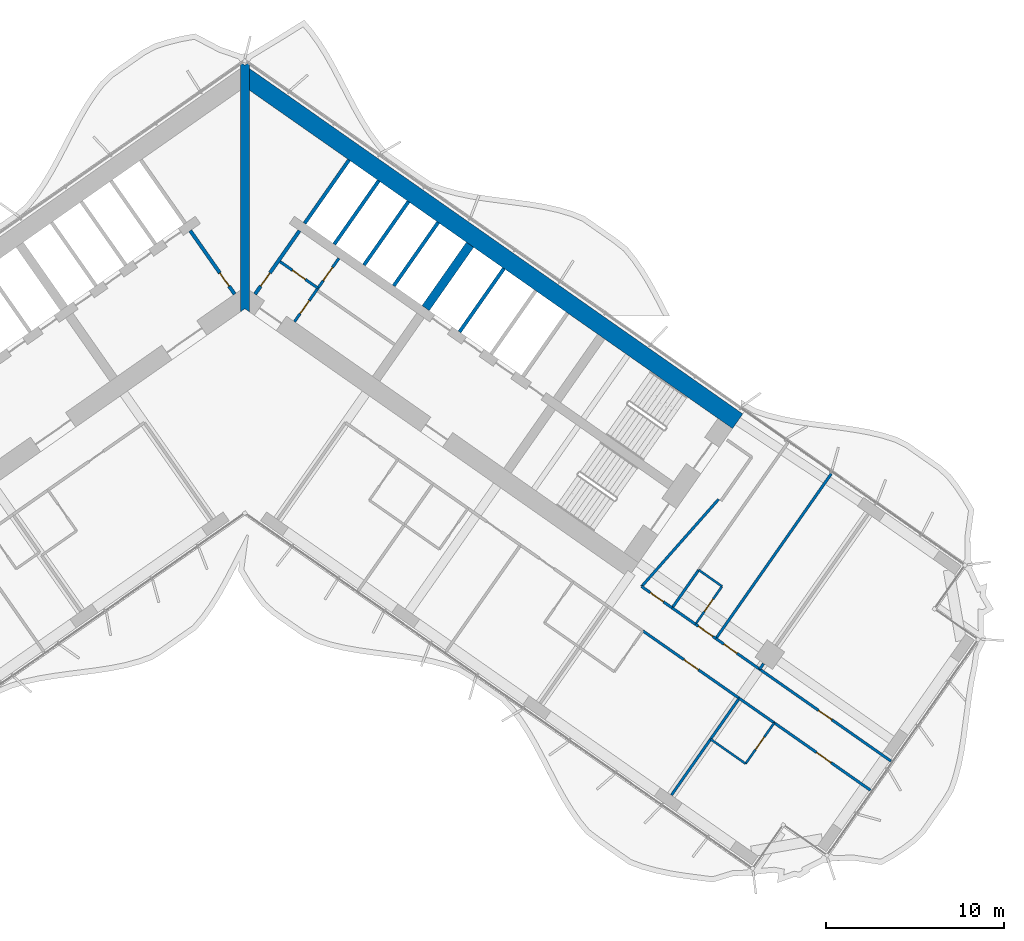
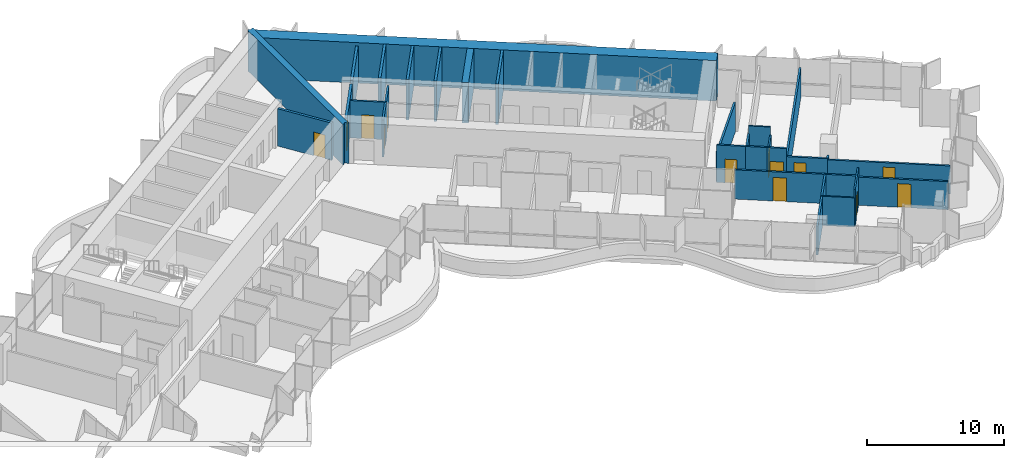
# One storey, part 15 of 23: 30 walls, 13 doors, 13 openings.
"""IFC4 building model written with IfcOpenShell, lengths in metres."""

from ifc_helpers import new_model, si_unit, direction, frame, frame_2d, origin, place, context, subcontext, project, spatial, polyline, rectangle, outline, extrude, material, layer, layer_set, type_object, element, fill, save


model = new_model("IFC4")

# Units and contexts
model_context = context("Model", 3, precision=1e-05, world=origin(), true_north=direction((0.0, 1.0)))
body_context = subcontext(model_context, "Body", "Model", "MODEL_VIEW")
ifc_project = project(units=[si_unit("LENGTHUNIT", "METRE"), si_unit("AREAUNIT", "SQUARE_METRE"), si_unit("VOLUMEUNIT", "CUBIC_METRE"), si_unit("PLANEANGLEUNIT", "RADIAN"), si_unit("MASSUNIT", "GRAM", prefix="KILO")], contexts=[model_context])

# Site, building, storey
site_placement = place(None, origin())
site = spatial("IfcSite", under=ifc_project, at=site_placement, CompositionType="ELEMENT")
building_placement = place(site_placement, origin())
building = spatial("IfcBuilding", under=site, at=building_placement, Name="Tel Ilan Convention Tower", CompositionType="ELEMENT")
storey_placement = place(building_placement, frame((0.0, 0.0, 101.300048828125)))
storey = spatial("IfcBuildingStorey", under=building, at=storey_placement, Name="L21", CompositionType="ELEMENT", Elevation=101.300048828125)

# Wall, openings, doors
ifc_material_1 = material(Name="Gypsum Plasterboard on Steel Stud", Category="steel")
ifc_layer_1 = layer(ifc_material_1, 0.14990234375)
ifc_layer_set_1 = layer_set([ifc_layer_1], Name="Core Room Partition Wall 150 mm EI 60")
wall_type_1 = type_object("IfcWallType", Name="Core Room Partition Wall 150 mm EI 60", PredefinedType="PARTITIONING", material=ifc_layer_set_1)
wall_1_placement = place(storey_placement, frame((2.78515625, -1.9501953125, 0.0), z_axis=(0.0, 0.0, 1.0), x_axis=(0.57356780395, 0.819158088694, 0.0)))
wall_1 = element("IfcWall", 1, at=wall_1_placement, inside=storey, type_object=wall_type_1, Name="L21 core wall wc-v1", PredefinedType="PARTITIONING", context=body_context, shape_type="SweptSolid", body=[
    extrude(rectangle(XDim=4.35009765625, YDim=0.14990234375, at=frame_2d((2.175048828125, 0.0))), origin(), (0.0, 0.0, 1.0), 3.320068359375),
])
opening_1_placement = place(wall_1_placement, frame((0.550048828125, 0.0, 0.0)))
opening_1 = element("IfcOpeningElement", 2, at=opening_1_placement, cuts=wall_1, Name="Opening CD1909", PredefinedType="OPENING", context=body_context, shape_type="SweptSolid", body=[
    extrude(rectangle(XDim=0.89990234375, YDim=2.10009765625, at=frame_2d((0.449951171875, 1.050048828125))), frame((0.0, 0.0849609375, 0.0), z_axis=(0.0, -1.0, 0.0), x_axis=(1.0, 0.0, 0.0)), (0.0, 0.0, 1.0), 0.169921875),
])
opening_2_placement = place(wall_1_placement, frame((2.824951171875, 0.0, 0.0)))
opening_2 = element("IfcOpeningElement", 3, at=opening_2_placement, cuts=wall_1, Name="Opening CD1910", PredefinedType="OPENING", context=body_context, shape_type="SweptSolid", body=[
    extrude(rectangle(XDim=0.89990234375, YDim=2.10009765625, at=frame_2d((0.449951171875, 1.050048828125))), frame((0.0, 0.0849609375, 0.0), z_axis=(0.0, -1.0, 0.0), x_axis=(1.0, 0.0, 0.0)), (0.0, 0.0, 1.0), 0.169921875),
])
ifc_material_2 = material(Name="Laminated Timber Door Leaf", Category="wood")
door_type_1 = type_object("IfcDoorType", Name="Toilet Door 900 x 2100 FD30S", OperationType="NOTDEFINED", PredefinedType="DOOR", material=ifc_material_2)
door_1_placement = place(opening_1_placement, origin())
door_1 = element("IfcDoor", 4, at=door_1_placement, inside=storey, type_object=door_type_1, Name="Women's WC door", OperationType="SINGLE_SWING_RIGHT", OverallHeight=2.10009765625, OverallWidth=0.89990234375, PredefinedType="DOOR", context=body_context, shape_type="SweptSolid", body=[
    extrude(rectangle(XDim=0.89990234375, YDim=2.10009765625, at=frame_2d((0.449951171875, 1.050048828125))), frame((0.0, 0.02490234375, 0.0), z_axis=(0.0, -1.0, 0.0), x_axis=(1.0, 0.0, 0.0)), (0.0, 0.0, 1.0), 0.050048828125),
])
fill(opening_1, door_1)
door_2_placement = place(opening_2_placement, origin())
door_2 = element("IfcDoor", 5, at=door_2_placement, inside=storey, type_object=door_type_1, Name="Men's WC door", OperationType="SINGLE_SWING_RIGHT", OverallHeight=2.10009765625, OverallWidth=0.89990234375, PredefinedType="DOOR", context=body_context, shape_type="SweptSolid", body=[
    extrude(rectangle(XDim=0.89990234375, YDim=2.10009765625, at=frame_2d((0.449951171875, 1.050048828125))), frame((0.0, 0.02490234375, 0.0), z_axis=(0.0, -1.0, 0.0), x_axis=(1.0, 0.0, 0.0)), (0.0, 0.0, 1.0), 0.050048828125),
])
fill(opening_2, door_2)

# Wall, opening, door
wall_2_placement = place(storey_placement, frame((1.974609375, 1.42529296875, 0.0), z_axis=(0.0, 0.0, 1.0), x_axis=(0.819103967032, -0.573645091666, 0.0)))
wall_2 = element("IfcWall", 6, at=wall_2_placement, inside=storey, type_object=wall_type_1, Name="L21 core wall wc-h1", PredefinedType="PARTITIONING", context=body_context, shape_type="SweptSolid", body=[
    extrude(rectangle(XDim=2.599853515625, YDim=0.14990234375, at=frame_2d((1.2998046875, 0.0))), origin(), (0.0, 0.0, 1.0), 3.320068359375),
])
opening_3_placement = place(wall_2_placement, frame((0.85009765625, 0.0, 0.0)))
opening_3 = element("IfcOpeningElement", 7, at=opening_3_placement, cuts=wall_2, Name="Opening CD1908", PredefinedType="OPENING", context=body_context, shape_type="SweptSolid", body=[
    extrude(rectangle(XDim=0.89990234375, YDim=2.10009765625, at=frame_2d((0.449951171875, 1.050048828125))), frame((0.0, 0.0849609375, 0.0), z_axis=(0.0, -1.0, 0.0), x_axis=(1.0, 0.0, 0.0)), (0.0, 0.0, 1.0), 0.169921875),
])
door_3_placement = place(opening_3_placement, origin())
door_3 = element("IfcDoor", 8, at=door_3_placement, inside=storey, type_object=door_type_1, Name="Accessible WC door", OperationType="SINGLE_SWING_RIGHT", OverallHeight=2.10009765625, OverallWidth=0.89990234375, PredefinedType="DOOR", context=body_context, shape_type="SweptSolid", body=[
    extrude(rectangle(XDim=0.89990234375, YDim=2.10009765625, at=frame_2d((0.449951171875, 1.050048828125))), frame((0.0, 0.02490234375, 0.0), z_axis=(0.0, -1.0, 0.0), x_axis=(1.0, 0.0, 0.0)), (0.0, 0.0, 1.0), 0.050048828125),
])
fill(opening_3, door_3)

ifc_material_3 = material(Name="Concrete C30/37", Category="concrete")
ifc_layer_2 = layer(ifc_material_3, 0.199951171875)
ifc_layer_set_2 = layer_set([ifc_layer_2], Name="Core Service Room Wall 200 mm C30/37")
wall_type_2 = type_object("IfcWallType", Name="Core Service Room Wall 200 mm C30/37", PredefinedType="SOLIDWALL", material=ifc_layer_set_2)
wall_3_placement = place(storey_placement, frame((-0.573486328125, -0.401611328125, 0.0), z_axis=(0.0, 0.0, 1.0), x_axis=(-0.57356780395, 0.819158088694, 0.0)))
wall_3 = element("IfcWall", 9, at=wall_3_placement, inside=storey, type_object=wall_type_2, Name="L21 core wall apex-W", PredefinedType="SOLIDWALL", context=body_context, shape_type="SweptSolid", body=[
    extrude(rectangle(XDim=4.35009765625, YDim=0.199951171875, at=frame_2d((2.175048828125, 0.0))), origin(), (0.0, 0.0, 1.0), 3.320068359375),
])
opening_4_placement = place(wall_3_placement, frame((0.550048828125, 0.0, 0.0)))
opening_4 = element("IfcOpeningElement", 10, at=opening_4_placement, cuts=wall_3, Name="Opening CD1902", PredefinedType="OPENING", context=body_context, shape_type="SweptSolid", body=[
    extrude(rectangle(XDim=0.89990234375, YDim=2.10009765625, at=frame_2d((0.449951171875, 1.050048828125))), frame((0.0, 0.10986328125, 0.0), z_axis=(0.0, -1.0, 0.0), x_axis=(1.0, 0.0, 0.0)), (0.0, 0.0, 1.0), 0.219970703125),
])
ifc_material_4 = material(Name="Galvanised Steel Door Leaf", Category="steel")
door_type_2 = type_object("IfcDoorType", Name="Service Room Door 900 x 2100 FD60", OperationType="NOTDEFINED", PredefinedType="DOOR", material=ifc_material_4)
door_4_placement = place(opening_4_placement, origin())
door_4 = element("IfcDoor", 11, at=door_4_placement, inside=storey, type_object=door_type_2, Name="Electrical Room door", OperationType="SINGLE_SWING_RIGHT", OverallHeight=2.10009765625, OverallWidth=0.89990234375, PredefinedType="DOOR", context=body_context, shape_type="SweptSolid", body=[
    extrude(rectangle(XDim=0.89990234375, YDim=2.10009765625, at=frame_2d((0.449951171875, 1.050048828125))), frame((0.0, 0.02490234375, 0.0), z_axis=(0.0, -1.0, 0.0), x_axis=(1.0, 0.0, 0.0)), (0.0, 0.0, 1.0), 0.050048828125),
])
fill(opening_4, door_4)

wall_4_placement = place(storey_placement, frame((0.573486328125, -0.401611328125, 0.0), z_axis=(0.0, 0.0, 1.0), x_axis=(0.57356780395, 0.819158088694, 0.0)))
wall_4 = element("IfcWall", 12, at=wall_4_placement, inside=storey, type_object=wall_type_2, Name="L21 core wall apex-E", PredefinedType="SOLIDWALL", context=body_context, shape_type="SweptSolid", body=[
    extrude(rectangle(XDim=4.35009765625, YDim=0.199951171875, at=frame_2d((2.175048828125, 0.0))), origin(), (0.0, 0.0, 1.0), 3.320068359375),
])
opening_5_placement = place(wall_4_placement, frame((0.550048828125, 0.0, 0.0)))
opening_5 = element("IfcOpeningElement", 13, at=opening_5_placement, cuts=wall_4, Name="Opening CD1901", PredefinedType="OPENING", context=body_context, shape_type="SweptSolid", body=[
    extrude(rectangle(XDim=0.89990234375, YDim=2.10009765625, at=frame_2d((0.449951171875, 1.050048828125))), frame((0.0, 0.10986328125, 0.0), z_axis=(0.0, -1.0, 0.0), x_axis=(1.0, 0.0, 0.0)), (0.0, 0.0, 1.0), 0.219970703125),
])
door_5_placement = place(opening_5_placement, origin())
door_5 = element("IfcDoor", 14, at=door_5_placement, inside=storey, type_object=door_type_2, Name="Store Room door", OperationType="SINGLE_SWING_RIGHT", OverallHeight=2.10009765625, OverallWidth=0.89990234375, PredefinedType="DOOR", context=body_context, shape_type="SweptSolid", body=[
    extrude(rectangle(XDim=0.89990234375, YDim=2.10009765625, at=frame_2d((0.449951171875, 1.050048828125))), frame((0.0, 0.02490234375, 0.0), z_axis=(0.0, -1.0, 0.0), x_axis=(1.0, 0.0, 0.0)), (0.0, 0.0, 1.0), 0.050048828125),
])
fill(opening_5, door_5)

# Walls
wall_5_placement = place(storey_placement, frame((3.355224609375, 3.5712890625, 0.0), z_axis=(0.0, 0.0, 1.0), x_axis=(0.57356780395, 0.819158088694, 0.0)))
element("IfcWall", 15, at=wall_5_placement, inside=storey, type_object=wall_type_2, Name="L21 core wall apex-E-b", PredefinedType="SOLIDWALL", context=body_context, shape_type="SweptSolid", body=[
    extrude(rectangle(XDim=4.35009765625, YDim=0.199951171875, at=frame_2d((2.175048828125, 0.0))), origin(), (0.0, 0.0, 1.0), 3.320068359375),
])
ifc_material_5 = material(Name="Concrete C60/75", Category="concrete")
ifc_layer_3 = layer(ifc_material_5, 1.0)
ifc_layer_set_3 = layer_set([ifc_layer_3], Name="Core Shear Wall 1000 mm C60/75")
wall_type_3 = type_object("IfcWallType", Name="Core Shear Wall 1000 mm C60/75", PredefinedType="SHEAR", material=ifc_layer_set_3)
wall_6_placement = place(storey_placement, frame((-0.036865234375, 11.8671875, 0.0), z_axis=(0.0, 0.0, 1.0), x_axis=(0.819155306259, -0.573571777746, 0.0)))
element("IfcWall", 16, at=wall_6_placement, inside=storey, type_object=wall_type_3, Name="L21 core wall E-back", PredefinedType="SHEAR", context=body_context, shape_type="SweptSolid", body=[
    extrude(outline(polyline([(33.8369140625, 0.5), (0.0, 0.5), (0.7001953125, -0.499755859375), (33.8369140625, -0.5), (33.8369140625, 0.5)])), origin(), (0.0, 0.0, 1.0), 3.599853515625),
])
ifc_material_6 = material(Name="Concrete C60/75", Category="concrete")
ifc_layer_4 = layer(ifc_material_6, 0.5)
ifc_layer_set_4 = layer_set([ifc_layer_4], Name="Core Shear Wall 500 mm C60/75")
wall_type_4 = type_object("IfcWallType", Name="Core Shear Wall 500 mm C60/75", PredefinedType="SHEAR", material=ifc_layer_set_4)
wall_7_placement = place(storey_placement, frame((10.154296875, -1.189208984375, 0.0), z_axis=(0.0, 0.0, 1.0), x_axis=(0.573594173421, 0.819139624372, 0.0)))
element("IfcWall", 17, at=wall_7_placement, inside=storey, type_object=wall_type_4, Name="L21 core wall E-cross1-2", PredefinedType="SHEAR", context=body_context, shape_type="SweptSolid", body=[
    extrude(outline(polyline([(4.349853515625, -0.25), (4.349853515625, 0.25), (-0.000244140625, 0.25), (-0.000244140625, -0.25), (4.349853515625, -0.25)])), origin(), (0.0, 0.0, 1.0), 3.599853515625),
])
wall_8_placement = place(storey_placement, frame((0.0, -1.395751953125, 0.0), z_axis=(0.0, 0.0, 1.0), x_axis=(0.0, 1.0, 0.0)))
element("IfcWall", 18, at=wall_8_placement, inside=storey, type_object=wall_type_4, Name="L21 core wall K-central", PredefinedType="SHEAR", context=body_context, shape_type="SweptSolid", body=[
    extrude(outline(polyline([(0.0, -0.25), (0.175048828125, -0.25), (1.220703125, -0.25), (12.451904296875, -0.25), (13.84765625, -0.25), (13.85693359375, -0.25), (13.96826171875, -0.172119140625), (13.84765625, 0.0), (13.96826171875, 0.172119140625), (13.85693359375, 0.25), (13.84765625, 0.25), (12.451904296875, 0.25), (1.220703125, 0.25), (0.175048828125, 0.25), (0.0, 0.25), (0.175048828125, 0.0), (0.0, -0.25)])), origin(), (0.0, 0.0, 1.0), 3.599853515625),
])

# Wall, opening, door
ifc_material_7 = material(Name="Plasterboard on Steel Studs", Category="steel")
ifc_layer_5 = layer(ifc_material_7, 0.14990234375)
ifc_layer_set_5 = layer_set([ifc_layer_5], Name="Fire-rated Partition 150 EI 60")
wall_type_5 = type_object("IfcWallType", Name="Fire-rated Partition 150 EI 60", PredefinedType="PARTITIONING", material=ifc_layer_set_5)
wall_9_placement = place(storey_placement, frame((22.28369140625, -16.823974609375, 0.0), z_axis=(0.0, 0.0, 1.0), x_axis=(0.819160859995, -0.573563846013, 0.0)))
wall_9 = element("IfcWall", 19, at=wall_9_placement, inside=storey, type_object=wall_type_5, Name="Partition 001", PredefinedType="PARTITIONING", context=body_context, shape_type="SweptSolid", body=[
    extrude(rectangle(XDim=2.098388671875, YDim=0.14990234375, at=frame_2d((1.04931640625, 0.0))), origin(), (0.0, 0.0, 1.0), 3.320068359375),
])
opening_6_placement = place(wall_9_placement, frame((0.59912109375, 0.0, 0.0)))
opening_6 = element("IfcOpeningElement", 20, at=opening_6_placement, cuts=wall_9, Name="Opening L21-029", PredefinedType="OPENING", context=body_context, shape_type="SweptSolid", body=[
    extrude(rectangle(XDim=0.89990234375, YDim=2.10009765625, at=frame_2d((0.449951171875, 1.050048828125))), frame((0.0, 0.0849609375, 0.0), z_axis=(0.0, -1.0, 0.0), x_axis=(1.0, 0.0, 0.0)), (0.0, 0.0, 1.0), 0.169921875),
])
ifc_material_8 = material(Name="Timber Door Leaf in Steel Frame", Category="steel")
door_type_3 = type_object("IfcDoorType", Name="Room Fire Door 900x2100", OperationType="NOTDEFINED", PredefinedType="DOOR", material=ifc_material_8)
door_6_placement = place(opening_6_placement, origin())
door_6 = element("IfcDoor", 21, at=door_6_placement, inside=storey, type_object=door_type_3, Name="Door L21-029", OperationType="SINGLE_SWING_LEFT", OverallHeight=2.10009765625, OverallWidth=0.89990234375, PredefinedType="DOOR", context=body_context, shape_type="SweptSolid", body=[
    extrude(rectangle(XDim=0.89990234375, YDim=2.10009765625, at=frame_2d((0.449951171875, 1.050048828125))), frame((0.0, 0.02490234375, 0.0), z_axis=(0.0, -1.0, 0.0), x_axis=(1.0, 0.0, 0.0)), (0.0, 0.0, 1.0), 0.050048828125),
])
fill(opening_6, door_6)

wall_10_placement = place(storey_placement, frame((25.310791015625, -18.943603515625, 0.0), z_axis=(0.0, 0.0, 1.0), x_axis=(0.819199220913, -0.573509055252, 0.0)))
wall_10 = element("IfcWall", 22, at=wall_10_placement, inside=storey, type_object=wall_type_5, Name="Partition 002", PredefinedType="PARTITIONING", context=body_context, shape_type="SweptSolid", body=[
    extrude(rectangle(XDim=1.403076171875, YDim=0.14990234375, at=frame_2d((0.70166015625, 0.0))), origin(), (0.0, 0.0, 1.0), 3.320068359375),
])
opening_7_placement = place(wall_10_placement, frame((0.200927734375, 0.0, 0.0)))
opening_7 = element("IfcOpeningElement", 23, at=opening_7_placement, cuts=wall_10, Name="Opening L21-031", PredefinedType="OPENING", context=body_context, shape_type="SweptSolid", body=[
    extrude(rectangle(XDim=1.0, YDim=2.10009765625, at=frame_2d((0.5, 1.050048828125))), frame((0.0, 0.0849609375, 0.0), z_axis=(0.0, -1.0, 0.0), x_axis=(1.0, 0.0, 0.0)), (0.0, 0.0, 1.0), 0.169921875),
])
ifc_material_9 = material(Name="Timber Door Leaf in Steel Frame", Category="steel")
door_type_4 = type_object("IfcDoorType", Name="Hotel Room Entrance Fire Door 1000x2100", OperationType="NOTDEFINED", PredefinedType="DOOR", material=ifc_material_9)
door_7_placement = place(opening_7_placement, origin())
door_7 = element("IfcDoor", 24, at=door_7_placement, inside=storey, type_object=door_type_4, Name="Door L21-031", OperationType="SINGLE_SWING_RIGHT", OverallHeight=2.10009765625, OverallWidth=1.0, PredefinedType="DOOR", context=body_context, shape_type="SweptSolid", body=[
    extrude(rectangle(XDim=1.0, YDim=2.10009765625, at=frame_2d((0.5, 1.050048828125))), frame((0.0, 0.02490234375, 0.0), z_axis=(0.0, -1.0, 0.0), x_axis=(1.0, 0.0, 0.0)), (0.0, 0.0, 1.0), 0.050048828125),
])
fill(opening_7, door_7)

# Wall
wall_11_placement = place(storey_placement, frame((23.999267578125, -18.025390625, 0.0), z_axis=(0.0, 0.0, 1.0), x_axis=(0.819189013667, -0.573523634986, 0.0)))
element("IfcWall", 25, at=wall_11_placement, inside=storey, type_object=wall_type_5, Name="Partition 003", PredefinedType="PARTITIONING", context=body_context, shape_type="SweptSolid", body=[
    extrude(rectangle(XDim=1.60400390625, YDim=0.14990234375, at=frame_2d((0.802001953125, 0.0))), origin(), (0.0, 0.0, 1.0), 3.320068359375),
])

# Wall, opening, door
wall_12_placement = place(storey_placement, frame((26.456787109375, -19.74609375, 0.0), z_axis=(0.0, 0.0, 1.0), x_axis=(0.81916700466, -0.573555070134, 0.0)))
wall_12 = element("IfcWall", 26, at=wall_12_placement, inside=storey, type_object=wall_type_5, Name="Partition 004", PredefinedType="PARTITIONING", context=body_context, shape_type="SweptSolid", body=[
    extrude(rectangle(XDim=3.00390625, YDim=0.14990234375, at=frame_2d((1.501953125, 0.0))), origin(), (0.0, 0.0, 1.0), 2.599853515625),
])
opening_8_placement = place(wall_12_placement, frame((0.552001953125, 0.0, 0.0)))
opening_8 = element("IfcOpeningElement", 27, at=opening_8_placement, cuts=wall_12, Name="Opening L21-032", PredefinedType="OPENING", context=body_context, shape_type="SweptSolid", body=[
    extrude(rectangle(XDim=0.89990234375, YDim=2.10009765625, at=frame_2d((0.449951171875, 1.050048828125))), frame((0.0, 0.0849609375, 0.0), z_axis=(0.0, -1.0, 0.0), x_axis=(1.0, 0.0, 0.0)), (0.0, 0.0, 1.0), 0.169921875),
])
door_8_placement = place(opening_8_placement, origin())
door_8 = element("IfcDoor", 28, at=door_8_placement, inside=storey, type_object=door_type_3, Name="Door L21-032", OperationType="SINGLE_SWING_RIGHT", OverallHeight=2.10009765625, OverallWidth=0.89990234375, PredefinedType="DOOR", context=body_context, shape_type="SweptSolid", body=[
    extrude(rectangle(XDim=0.89990234375, YDim=2.10009765625, at=frame_2d((0.449951171875, 1.050048828125))), frame((0.0, 0.02490234375, 0.0), z_axis=(0.0, -1.0, 0.0), x_axis=(1.0, 0.0, 0.0)), (0.0, 0.0, 1.0), 0.050048828125),
])
fill(opening_8, door_8)

wall_13_placement = place(storey_placement, frame((28.914306640625, -21.466796875, 0.0), z_axis=(0.0, 0.0, 1.0), x_axis=(0.81915291695, -0.57357519006, 0.0)))
wall_13 = element("IfcWall", 29, at=wall_13_placement, inside=storey, type_object=wall_type_5, Name="Partition 005", PredefinedType="PARTITIONING", context=body_context, shape_type="SweptSolid", body=[
    extrude(rectangle(XDim=9.001953125, YDim=0.14990234375, at=frame_2d((4.5009765625, 0.0))), origin(), (0.0, 0.0, 1.0), 2.5),
])
opening_9_placement = place(wall_13_placement, frame((4.051025390625, 0.0, 0.0)))
opening_9 = element("IfcOpeningElement", 30, at=opening_9_placement, cuts=wall_13, Name="Opening L21-033", PredefinedType="OPENING", context=body_context, shape_type="SweptSolid", body=[
    extrude(rectangle(XDim=0.89990234375, YDim=2.10009765625, at=frame_2d((0.449951171875, 1.050048828125))), frame((0.0, 0.0849609375, 0.0), z_axis=(0.0, -1.0, 0.0), x_axis=(1.0, 0.0, 0.0)), (0.0, 0.0, 1.0), 0.169921875),
])
door_9_placement = place(opening_9_placement, origin())
door_9 = element("IfcDoor", 31, at=door_9_placement, inside=storey, type_object=door_type_3, Name="Door L21-033", OperationType="SINGLE_SWING_RIGHT", OverallHeight=2.10009765625, OverallWidth=0.89990234375, PredefinedType="DOOR", context=body_context, shape_type="SweptSolid", body=[
    extrude(rectangle(XDim=0.89990234375, YDim=2.10009765625, at=frame_2d((0.449951171875, 1.050048828125))), frame((0.0, 0.02490234375, 0.0), z_axis=(0.0, -1.0, 0.0), x_axis=(1.0, 0.0, 0.0)), (0.0, 0.0, 1.0), 0.050048828125),
])
fill(opening_9, door_9)

wall_14_placement = place(storey_placement, frame((27.7705078125, -23.107421875, 0.0), z_axis=(0.0, 0.0, 1.0), x_axis=(-0.819153746897, 0.573574004767, 0.0)))
wall_14 = element("IfcWall", 32, at=wall_14_placement, inside=storey, type_object=wall_type_5, Name="Partition 012", PredefinedType="PARTITIONING", context=body_context, shape_type="SweptSolid", body=[
    extrude(rectangle(XDim=6.60302734375, YDim=0.14990234375, at=frame_2d((3.301513671875, 0.0))), origin(), (0.0, 0.0, 1.0), 2.599853515625),
])
opening_10_placement = place(wall_14_placement, frame((2.802001953125, 0.0, 0.0)))
opening_10 = element("IfcOpeningElement", 33, at=opening_10_placement, cuts=wall_14, Name="Opening L21-026", PredefinedType="OPENING", context=body_context, shape_type="SweptSolid", body=[
    extrude(rectangle(XDim=1.0, YDim=2.10009765625, at=frame_2d((0.5, 1.050048828125))), frame((0.0, 0.0849609375, 0.0), z_axis=(0.0, -1.0, 0.0), x_axis=(1.0, 0.0, 0.0)), (0.0, 0.0, 1.0), 0.169921875),
])
door_10_placement = place(opening_10_placement, origin())
door_10 = element("IfcDoor", 34, at=door_10_placement, inside=storey, type_object=door_type_4, Name="Door L21-026", OperationType="SINGLE_SWING_LEFT", OverallHeight=2.10009765625, OverallWidth=1.0, PredefinedType="DOOR", context=body_context, shape_type="SweptSolid", body=[
    extrude(rectangle(XDim=1.0, YDim=2.10009765625, at=frame_2d((0.5, 1.050048828125))), frame((0.0, 0.02490234375, 0.0), z_axis=(0.0, -1.0, 0.0), x_axis=(1.0, 0.0, 0.0)), (0.0, 0.0, 1.0), 0.050048828125),
])
fill(opening_10, door_10)

wall_15_placement = place(storey_placement, frame((35.14111328125, -28.268310546875, 0.0), z_axis=(0.0, 0.0, 1.0), x_axis=(-0.819155459934, 0.573571558274, 0.0)))
wall_15 = element("IfcWall", 35, at=wall_15_placement, inside=storey, type_object=wall_type_5, Name="Partition 014", PredefinedType="PARTITIONING", context=body_context, shape_type="SweptSolid", body=[
    extrude(rectangle(XDim=6.60107421875, YDim=0.14990234375, at=frame_2d((3.300537109375, 0.0))), origin(), (0.0, 0.0, 1.0), 2.5),
])
opening_11_placement = place(wall_15_placement, frame((2.699951171875, 0.0, 0.0)))
opening_11 = element("IfcOpeningElement", 36, at=opening_11_placement, cuts=wall_15, Name="Opening L21-028", PredefinedType="OPENING", context=body_context, shape_type="SweptSolid", body=[
    extrude(rectangle(XDim=1.0, YDim=2.10009765625, at=frame_2d((0.5, 1.050048828125))), frame((0.0, 0.0849609375, 0.0), z_axis=(0.0, -1.0, 0.0), x_axis=(1.0, 0.0, 0.0)), (0.0, 0.0, 1.0), 0.169921875),
])
door_11_placement = place(opening_11_placement, origin())
door_11 = element("IfcDoor", 37, at=door_11_placement, inside=storey, type_object=door_type_4, Name="Door L21-028", OperationType="SINGLE_SWING_RIGHT", OverallHeight=2.10009765625, OverallWidth=1.0, PredefinedType="DOOR", context=body_context, shape_type="SweptSolid", body=[
    extrude(rectangle(XDim=1.0, YDim=2.10009765625, at=frame_2d((0.5, 1.050048828125))), frame((0.0, 0.02490234375, 0.0), z_axis=(0.0, -1.0, 0.0), x_axis=(1.0, 0.0, 0.0)), (0.0, 0.0, 1.0), 0.050048828125),
])
fill(opening_11, door_11)

# Walls
wall_16_placement = place(storey_placement, frame((29.736328125, -24.48388671875, 0.0), z_axis=(0.0, 0.0, 1.0), x_axis=(-0.819146032251, 0.573585022335, 0.0)))
element("IfcWall", 38, at=wall_16_placement, inside=storey, type_object=wall_type_5, Name="Partition 015", PredefinedType="PARTITIONING", context=body_context, shape_type="SweptSolid", body=[
    extrude(rectangle(XDim=2.404052734375, YDim=0.14990234375, at=frame_2d((1.2021484375, 0.0))), origin(), (0.0, 0.0, 1.0), 2.599853515625),
])
wall_17_placement = place(storey_placement, frame((25.493408203125, -15.89501953125, 0.0), z_axis=(0.0, 0.0, 1.0), x_axis=(-0.573588285102, -0.819143747577, 0.0)))
element("IfcWall", 39, at=wall_17_placement, inside=storey, type_object=wall_type_5, Name="Partition 035", PredefinedType="PARTITIONING", context=body_context, shape_type="SweptSolid", body=[
    extrude(rectangle(XDim=2.601806640625, YDim=0.14990234375, at=frame_2d((1.30078125, 0.0))), origin(), (0.0, 0.0, 1.0), 2.599853515625),
])
wall_18_placement = place(storey_placement, frame((22.285400390625, -16.8251953125, 0.0), z_axis=(0.0, 0.0, 1.0), x_axis=(0.661551268245, 0.749899939647, 0.0)))
element("IfcWall", 40, at=wall_18_placement, inside=storey, type_object=wall_type_5, Name="Partition 036", PredefinedType="PARTITIONING", context=body_context, shape_type="SweptSolid", body=[
    extrude(rectangle(XDim=6.541015625, YDim=0.14990234375, at=frame_2d((3.2705078125, 0.0))), origin(), (0.0, 0.0, 1.0), 2.599853515625),
])
wall_19_placement = place(storey_placement, frame((32.93994140625, -10.49072265625, 0.0), z_axis=(0.0, 0.0, 1.0), x_axis=(-0.573571089604, -0.819155788095, 0.0)))
element("IfcWall", 41, at=wall_19_placement, inside=storey, type_object=wall_type_5, Name="Partition 041", PredefinedType="PARTITIONING", context=body_context, shape_type="SweptSolid", body=[
    extrude(rectangle(XDim=11.300048828125, YDim=0.14990234375, at=frame_2d((5.64990234375, 0.0))), origin(), (0.0, 0.0, 1.0), 2.599853515625),
])
wall_20_placement = place(storey_placement, frame((29.1337890625, -21.156494140625, 0.0), z_axis=(0.0, 0.0, 1.0), x_axis=(-0.572944929411, -0.819593867633, 0.0)))
element("IfcWall", 42, at=wall_20_placement, inside=storey, type_object=wall_type_5, Name="Partition 043", PredefinedType="PARTITIONING", context=body_context, shape_type="SweptSolid", body=[
    extrude(rectangle(XDim=0.380126953125, YDim=0.14990234375, at=frame_2d((0.18994140625, 0.0))), origin(), (0.0, 0.0, 1.0), 2.599853515625),
])
wall_21_placement = place(storey_placement, frame((26.163330078125, -25.39892578125, 0.0), z_axis=(0.0, 0.0, 1.0), x_axis=(-0.57359919792, -0.819136105995, 0.0)))
element("IfcWall", 43, at=wall_21_placement, inside=storey, type_object=wall_type_5, Name="Partition 058", PredefinedType="PARTITIONING", context=body_context, shape_type="SweptSolid", body=[
    extrude(rectangle(XDim=3.8310546875, YDim=0.14990234375, at=frame_2d((1.91552734375, 0.0))), origin(), (0.0, 0.0, 1.0), 2.599853515625),
])
wall_22_placement = place(storey_placement, frame((27.768798828125, -23.106201171875, 0.0), z_axis=(0.0, 0.0, 1.0), x_axis=(-0.573555899632, -0.819166423871, 0.0)))
element("IfcWall", 44, at=wall_22_placement, inside=storey, type_object=wall_type_5, Name="Partition 059", PredefinedType="PARTITIONING", context=body_context, shape_type="SweptSolid", body=[
    extrude(rectangle(XDim=2.80224609375, YDim=0.14990234375, at=frame_2d((1.401123046875, 0.0))), origin(), (0.0, 0.0, 1.0), 2.599853515625),
])
ifc_material_10 = material(Name="Concrete C30/37", Category="concrete")
ifc_layer_6 = layer(ifc_material_10, 0.199951171875)
ifc_layer_set_6 = layer_set([ifc_layer_6], Name="Lift Shaft Wall 200 mm C30/37")
wall_type_6 = type_object("IfcWallType", Name="Lift Shaft Wall 200 mm C30/37", PredefinedType="SOLIDWALL", material=ifc_layer_set_6)
wall_23_placement = place(storey_placement, frame((5.0244140625, 2.402587890625, 0.0), z_axis=(0.0, 0.0, 1.0), x_axis=(0.573530143085, 0.819184457233, 0.0)))
element("IfcWall", 45, at=wall_23_placement, inside=storey, type_object=wall_type_6, Name="L21 core wall bank-E1-p0", PredefinedType="SOLIDWALL", context=body_context, shape_type="SweptSolid", body=[
    extrude(rectangle(XDim=4.35009765625, YDim=0.199951171875, at=frame_2d((2.175048828125, 0.0))), origin(), (0.0, 0.0, 1.0), 3.599853515625),
])
for number, where, z_axis, x_axis, name in (
    (46, (6.693359375, 1.234130859375, 0.0), (0.0, 0.0, 1.0), (0.573594173421, 0.819139624372, 0.0), "L21 core wall bank-E1-p1"),
    (47, (8.3623046875, 0.0654296875, 0.0), (0.0, 0.0, 1.0), (0.573594173421, 0.819139624372, 0.0), "L21 core wall bank-E1-p2"),
    (48, (12.05859375, -2.52294921875, 0.0), (0.0, 0.0, 1.0), (0.573594173421, 0.819139624372, 0.0), "L21 core wall bank-E2-p0"),
):
    element("IfcWall", number, at=place(storey_placement, frame(where, z_axis=z_axis, x_axis=x_axis)), inside=storey, type_object=wall_type_6, Name=name, PredefinedType="SOLIDWALL", context=body_context, shape_type="SweptSolid", body=[
        extrude(rectangle(XDim=4.349853515625, YDim=0.199951171875, at=frame_2d((2.1748046875, 0.0))), origin(), (0.0, 0.0, 1.0), 3.599853515625),
    ])

# Wall, opening, door
ifc_material_11 = material(Name="Plasterboard on Steel Studs", Category="steel")
ifc_layer_7 = layer(ifc_material_11, 0.1201171875)
ifc_layer_set_7 = layer_set([ifc_layer_7], Name="Moisture-resistant Partition 120")
wall_type_7 = type_object("IfcWallType", Name="Moisture-resistant Partition 120", PredefinedType="PARTITIONING", material=ifc_layer_set_7)
wall_24_placement = place(storey_placement, frame((25.3125, -18.944580078125, 0.0), z_axis=(0.0, 0.0, 1.0), x_axis=(0.573582085028, 0.819148089014, 0.0)))
wall_24 = element("IfcWall", 49, at=wall_24_placement, inside=storey, type_object=wall_type_7, Name="Partition 039", PredefinedType="PARTITIONING", context=body_context, shape_type="SweptSolid", body=[
    extrude(rectangle(XDim=2.599853515625, YDim=0.1201171875, at=frame_2d((1.2998046875, 0.0))), origin(), (0.0, 0.0, 1.0), 2.599853515625),
])
opening_12_placement = place(wall_24_placement, frame((0.875, 0.0, 0.0)))
opening_12 = element("IfcOpeningElement", 50, at=opening_12_placement, cuts=wall_24, Name="Opening L21-030", PredefinedType="OPENING", context=body_context, shape_type="SweptSolid", body=[
    extrude(rectangle(XDim=0.85009765625, YDim=2.050048828125, at=frame_2d((0.425048828125, 1.02490234375))), frame((0.0, 0.070068359375, 0.0), z_axis=(0.0, -1.0, 0.0), x_axis=(1.0, 0.0, 0.0)), (0.0, 0.0, 1.0), 0.14013671875),
])
ifc_material_12 = material(Name="Timber Door Leaf in Steel Frame", Category="steel")
door_type_5 = type_object("IfcDoorType", Name="Bathroom Timber Door 850x2050", OperationType="NOTDEFINED", PredefinedType="DOOR", material=ifc_material_12)
door_12_placement = place(opening_12_placement, origin())
door_12 = element("IfcDoor", 51, at=door_12_placement, inside=storey, type_object=door_type_5, Name="Door L21-030", OperationType="SINGLE_SWING_LEFT", OverallHeight=2.050048828125, OverallWidth=0.85009765625, PredefinedType="DOOR", context=body_context, shape_type="SweptSolid", body=[
    extrude(rectangle(XDim=0.85009765625, YDim=2.050048828125, at=frame_2d((0.425048828125, 1.02490234375))), frame((0.0, 0.02490234375, 0.0), z_axis=(0.0, -1.0, 0.0), x_axis=(1.0, 0.0, 0.0)), (0.0, 0.0, 1.0), 0.050048828125),
])
fill(opening_12, door_12)

# Walls
wall_25_placement = place(storey_placement, frame((26.803466796875, -16.813720703125, 0.0), z_axis=(0.0, 0.0, 1.0), x_axis=(-0.819059844958, 0.573708088123, 0.0)))
element("IfcWall", 52, at=wall_25_placement, inside=storey, type_object=wall_type_7, Name="Partition 040", PredefinedType="PARTITIONING", context=body_context, shape_type="SweptSolid", body=[
    extrude(rectangle(XDim=1.60009765625, YDim=0.1201171875, at=frame_2d((0.800048828125, 0.0))), origin(), (0.0, 0.0, 1.0), 3.320068359375),
])
wall_26_placement = place(storey_placement, frame((26.162109375, -25.400634765625, 0.0), z_axis=(0.0, 0.0, 1.0), x_axis=(0.819188907105, -0.573523787192, 0.0)))
element("IfcWall", 53, at=wall_26_placement, inside=storey, type_object=wall_type_7, Name="Partition 060", PredefinedType="PARTITIONING", context=body_context, shape_type="SweptSolid", body=[
    extrude(rectangle(XDim=2.39990234375, YDim=0.1201171875, at=frame_2d((1.199951171875, 0.0))), origin(), (0.0, 0.0, 1.0), 2.599853515625),
])

# Wall, opening, door
wall_27_placement = place(storey_placement, frame((28.12939453125, -26.777099609375, 0.0), z_axis=(0.0, 0.0, 1.0), x_axis=(0.573608623498, 0.819129505664, 0.0)))
wall_27 = element("IfcWall", 54, at=wall_27_placement, inside=storey, type_object=wall_type_7, Name="Partition 061", PredefinedType="PARTITIONING", context=body_context, shape_type="SweptSolid", body=[
    extrude(rectangle(XDim=2.800048828125, YDim=0.1201171875, at=frame_2d((1.39990234375, 0.0))), origin(), (0.0, 0.0, 1.0), 3.320068359375),
])
opening_13_placement = place(wall_27_placement, frame((0.97509765625, 0.0, 0.0)))
opening_13 = element("IfcOpeningElement", 55, at=opening_13_placement, cuts=wall_27, Name="Opening L21-027", PredefinedType="OPENING", context=body_context, shape_type="SweptSolid", body=[
    extrude(rectangle(XDim=0.85009765625, YDim=2.050048828125, at=frame_2d((0.425048828125, 1.02490234375))), frame((0.0, 0.070068359375, 0.0), z_axis=(0.0, -1.0, 0.0), x_axis=(1.0, 0.0, 0.0)), (0.0, 0.0, 1.0), 0.14013671875),
])
door_13_placement = place(opening_13_placement, origin())
door_13 = element("IfcDoor", 56, at=door_13_placement, inside=storey, type_object=door_type_5, Name="Door L21-027", OperationType="SINGLE_SWING_LEFT", OverallHeight=2.050048828125, OverallWidth=0.85009765625, PredefinedType="DOOR", context=body_context, shape_type="SweptSolid", body=[
    extrude(rectangle(XDim=0.85009765625, YDim=2.050048828125, at=frame_2d((0.425048828125, 1.02490234375))), frame((0.0, 0.02490234375, 0.0), z_axis=(0.0, -1.0, 0.0), x_axis=(1.0, 0.0, 0.0)), (0.0, 0.0, 1.0), 0.050048828125),
])
fill(opening_13, door_13)

save(model, "model.ifc")
